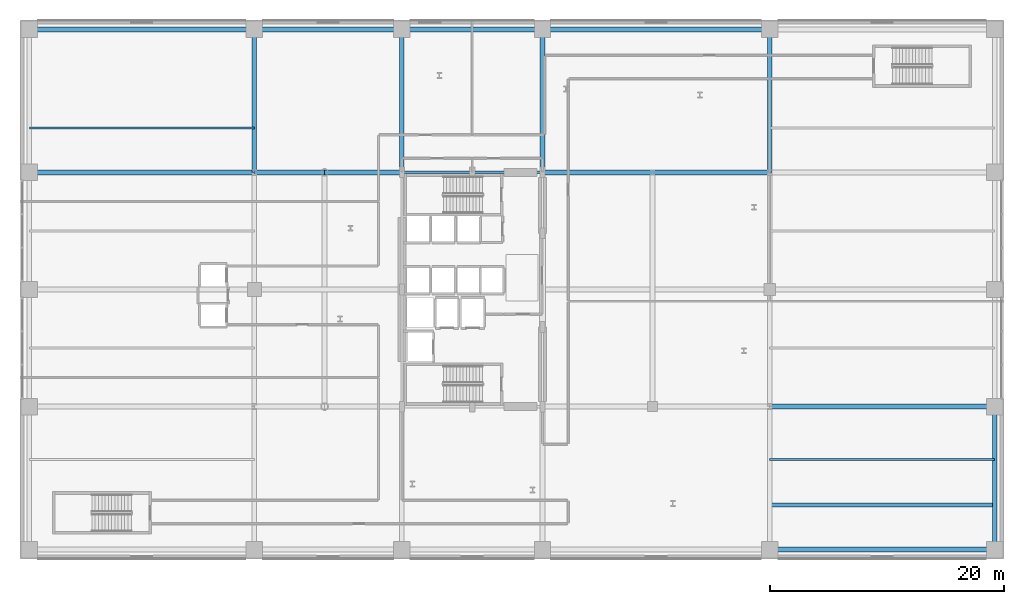
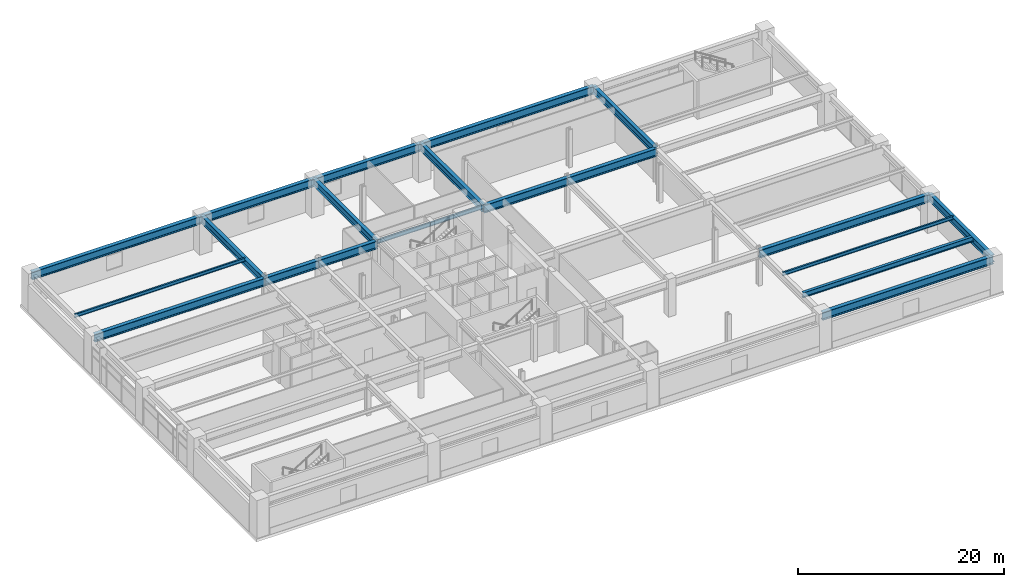
# One storey, part 12 of 28: 21 beams.
"""IFC4 building model written with IfcOpenShell, lengths in metres."""

from ifc_helpers import new_model, si_unit, direction, frame, origin, origin_2d, place, context, subcontext, project, spatial, i_section, extrude, material, material_profile, profile_set, type_object, element, save


model = new_model("IFC4")

# Units and contexts
model_context = context("Model", 3, precision=1e-05, world=origin(), true_north=direction((0.0, 1.0)))
body_context = subcontext(model_context, "Body", "Model", "MODEL_VIEW")
ifc_project = project(units=[si_unit("LENGTHUNIT", "METRE"), si_unit("AREAUNIT", "SQUARE_METRE"), si_unit("VOLUMEUNIT", "CUBIC_METRE"), si_unit("PLANEANGLEUNIT", "RADIAN"), si_unit("MASSUNIT", "GRAM", prefix="KILO")], contexts=[model_context])

# Site, building, storey
site_placement = place(None, origin())
site = spatial("IfcSite", under=ifc_project, at=site_placement, CompositionType="ELEMENT")
building_placement = place(site_placement, origin())
building = spatial("IfcBuilding", under=site, at=building_placement, Name="Soratama Intermodal Tower", CompositionType="ELEMENT")
storey_placement = place(building_placement, frame((0.0, 0.0, 16.199951171875)))
storey = spatial("IfcBuildingStorey", under=building, at=storey_placement, Name="L03", CompositionType="ELEMENT", Elevation=16.199951171875)

# Beams
ifc_material_1 = material(Name="Structural steel ASTM A992 Grade 50", Category="steel")
ifc_material_profile_1 = material_profile(ifc_material_1, i_section(OverallWidth=0.324951171875, OverallDepth=0.615966796875, WebThickness=0.013916015625, FlangeThickness=0.021484375, FilletRadius=0.013916015625, at=origin_2d()), Name="W24X117")
ifc_profile_set_1 = profile_set([ifc_material_profile_1], Name="Structural steel ASTM A992 Grade 50")
beam_type_1 = type_object("IfcBeamType", Name="BM-BACK-W24X117", PredefinedType="BEAM", material=ifc_profile_set_1)
beam_1_placement = place(storey_placement, frame((64.0, 6.60009765625, 3.8720703125), z_axis=(1.0, 0.0, 0.0), x_axis=(0.0, 1.0, 0.0)))
element("IfcBeam", 1, at=beam_1_placement, inside=storey, type_object=beam_type_1, Name="JST-BACK-L03-E", PredefinedType="BEAM", context=body_context, shape_type="SweptSolid", body=[
    extrude(i_section(OverallWidth=0.324951171875, OverallDepth=0.615966796875, WebThickness=0.013916015625, FlangeThickness=0.021484375, FilletRadius=0.013916015625, at=origin_2d()), origin(), (0.0, 0.0, 1.0), 19.199951171875),
])
ifc_material_2 = material(Name="Structural steel ASTM A992 Grade 50", Category="steel")
ifc_material_profile_2 = material_profile(ifc_material_2, i_section(OverallWidth=0.19091796875, OverallDepth=0.4599609375, WebThickness=0.010009765625, FlangeThickness=0.01611328125, FilletRadius=0.010986328125, at=origin_2d()), Name="W18X55")
ifc_profile_set_2 = profile_set([ifc_material_profile_2], Name="Structural steel ASTM A992 Grade 50")
beam_type_2 = type_object("IfcBeamType", Name="BM-FLR-W18X55", PredefinedType="BEAM", material=ifc_profile_set_2)
for number, where, z_axis, x_axis, name in (
    (2, (44.60009765625, 35.0, 3.949951171875), (-1.0, 0.0, 0.0), (0.0, -1.0, 0.0), "BM-L03-CRING-06"),
    (3, (38.60009765625, 35.0, 3.949951171875), (-1.0, 0.0, 0.0), (0.0, -1.0, 0.0), "BM-L03-CRING-07"),
):
    element("IfcBeam", number, at=place(storey_placement, frame(where, z_axis=z_axis, x_axis=x_axis)), inside=storey, type_object=beam_type_2, Name=name, PredefinedType="BEAM", context=body_context, shape_type="SweptSolid", body=[
        extrude(i_section(OverallWidth=0.19091796875, OverallDepth=0.4599609375, WebThickness=0.010009765625, FlangeThickness=0.01611328125, FilletRadius=0.010986328125, at=origin_2d()), origin(), (0.0, 0.0, 1.0), 6.0),
    ])
ifc_material_3 = material(Name="Structural steel ASTM A992 Grade 50", Category="steel")
ifc_material_profile_3 = material_profile(ifc_material_3, i_section(OverallWidth=0.177978515625, OverallDepth=0.406982421875, WebThickness=0.0078125, FlangeThickness=0.0126953125, FilletRadius=0.010009765625, at=origin_2d()), Name="W16X40")
ifc_profile_set_3 = profile_set([ifc_material_profile_3], Name="Structural steel ASTM A992 Grade 50")
beam_type_3 = type_object("IfcBeamType", Name="BM-JST-W16X40", PredefinedType="JOIST", material=ifc_profile_set_3)
for number, where, z_axis, x_axis, name in (
    (4, (64.0, 10.5, 3.9765625), (1.0, 0.0, 0.0), (0.0, 1.0, 0.0), "JST-L03-E1"),
    (5, (0.800048828125, 38.800048828125, 3.9765625), (1.0, 0.0, 0.0), (0.0, 1.0, 0.0), "JST-L03-W4"),
):
    element("IfcBeam", number, at=place(storey_placement, frame(where, z_axis=z_axis, x_axis=x_axis)), inside=storey, type_object=beam_type_3, Name=name, PredefinedType="JOIST", context=body_context, shape_type="SweptSolid", body=[
        extrude(i_section(OverallWidth=0.177978515625, OverallDepth=0.406982421875, WebThickness=0.0078125, FlangeThickness=0.0126953125, FilletRadius=0.010009765625, at=origin_2d()), origin(), (0.0, 0.0, 1.0), 19.199951171875),
    ])
ifc_material_4 = material(Name="Structural steel ASTM A992 Grade 50", Category="steel")
ifc_material_profile_4 = material_profile(ifc_material_4, i_section(OverallWidth=0.403076171875, OverallDepth=0.867919921875, WebThickness=0.02099609375, FlangeThickness=0.03564453125, FilletRadius=0.01806640625, at=origin_2d()), Name="W33X241")
ifc_profile_set_4 = profile_set([ifc_material_profile_4], Name="Structural steel ASTM A992 Grade 50")
beam_type_4 = type_object("IfcBeamType", Name="BM-POD-EXT-W33", PredefinedType="BEAM", material=ifc_profile_set_4)
beam_2_placement = place(storey_placement, frame((83.199951171875, 2.800048828125, 3.74609375), z_axis=(0.0, 1.0, 0.0), x_axis=(-1.0, 0.0, 0.0)))
element("IfcBeam", 6, at=beam_2_placement, inside=storey, type_object=beam_type_4, Name="L03 Station Girder Y4-1", PredefinedType="BEAM", context=body_context, shape_type="SweptSolid", body=[
    extrude(i_section(OverallWidth=0.403076171875, OverallDepth=0.867919921875, WebThickness=0.02099609375, FlangeThickness=0.03564453125, FilletRadius=0.01806640625, at=origin_2d()), origin(), (0.0, 0.0, 1.0), 12.199951171875),
])
ifc_material_5 = material(Name="Structural steel ASTM A992 Grade 50", Category="steel")
ifc_material_profile_5 = material_profile(ifc_material_5, i_section(OverallWidth=0.423095703125, OverallDepth=0.93896484375, WebThickness=0.02392578125, FlangeThickness=0.042724609375, FilletRadius=0.02392578125, at=origin_2d()), Name="W36X302")
ifc_profile_set_5 = profile_set([ifc_material_profile_5], Name="Structural steel ASTM A992 Grade 50")
beam_type_5 = type_object("IfcBeamType", Name="BM-POD-EXT-W36", PredefinedType="BEAM", material=ifc_profile_set_5)
for number, where, z_axis, x_axis, name in (
    (7, (64.0, 2.800048828125, 3.71044921875), (1.0, 0.0, 0.0), (0.0, 1.0, 0.0), "L03 Station Girder X1-5"),
    (8, (0.800048828125, 47.199951171875, 3.71044921875), (1.0, 0.0, 0.0), (0.0, 1.0, 0.0), "L03 Station Girder X5-1"),
):
    element("IfcBeam", number, at=place(storey_placement, frame(where, z_axis=z_axis, x_axis=x_axis)), inside=storey, type_object=beam_type_5, Name=name, PredefinedType="BEAM", context=body_context, shape_type="SweptSolid", body=[
        extrude(i_section(OverallWidth=0.423095703125, OverallDepth=0.93896484375, WebThickness=0.02392578125, FlangeThickness=0.042724609375, FilletRadius=0.02392578125, at=origin_2d()), origin(), (0.0, 0.0, 1.0), 19.199951171875),
    ])
beam_3_placement = place(storey_placement, frame((20.0, 47.199951171875, 3.71044921875), z_axis=(1.0, 0.0, 0.0), x_axis=(0.0, 1.0, 0.0)))
element("IfcBeam", 9, at=beam_3_placement, inside=storey, type_object=beam_type_5, Name="L03 Station Girder X5-2", PredefinedType="BEAM", context=body_context, shape_type="SweptSolid", body=[
    extrude(i_section(OverallWidth=0.423095703125, OverallDepth=0.93896484375, WebThickness=0.02392578125, FlangeThickness=0.042724609375, FilletRadius=0.02392578125, at=origin_2d()), origin(), (0.0, 0.0, 1.0), 12.60009765625),
])
beam_4_placement = place(storey_placement, frame((32.60009765625, 47.199951171875, 3.71044921875), z_axis=(1.0, 0.0, 0.0), x_axis=(0.0, 1.0, 0.0)))
element("IfcBeam", 10, at=beam_4_placement, inside=storey, type_object=beam_type_5, Name="L03 Station Girder X5-3", PredefinedType="BEAM", context=body_context, shape_type="SweptSolid", body=[
    extrude(i_section(OverallWidth=0.423095703125, OverallDepth=0.93896484375, WebThickness=0.02392578125, FlangeThickness=0.042724609375, FilletRadius=0.02392578125, at=origin_2d()), origin(), (0.0, 0.0, 1.0), 12.0),
])
beam_5_placement = place(storey_placement, frame((44.60009765625, 47.199951171875, 3.71044921875), z_axis=(1.0, 0.0, 0.0), x_axis=(0.0, 1.0, 0.0)))
element("IfcBeam", 11, at=beam_5_placement, inside=storey, type_object=beam_type_5, Name="L03 Station Girder X5-4", PredefinedType="BEAM", context=body_context, shape_type="SweptSolid", body=[
    extrude(i_section(OverallWidth=0.423095703125, OverallDepth=0.93896484375, WebThickness=0.02392578125, FlangeThickness=0.042724609375, FilletRadius=0.02392578125, at=origin_2d()), origin(), (0.0, 0.0, 1.0), 19.39990234375),
])
ifc_material_6 = material(Name="Structural steel ASTM A992 Grade 50", Category="steel")
ifc_material_profile_6 = material_profile(ifc_material_6, i_section(OverallWidth=0.403076171875, OverallDepth=0.867919921875, WebThickness=0.02099609375, FlangeThickness=0.03564453125, FilletRadius=0.01806640625, at=origin_2d()), Name="W33X241")
ifc_profile_set_6 = profile_set([ifc_material_profile_6], Name="Structural steel ASTM A992 Grade 50")
beam_type_6 = type_object("IfcBeamType", Name="BM-POD-W33X241", PredefinedType="BEAM", material=ifc_profile_set_6)
for number, where, z_axis, x_axis, name in (
    (12, (20.0, 35.0, 3.74609375), (0.0, 1.0, 0.0), (-1.0, 0.0, 0.0), "L03 Station Girder Y2-4"),
    (13, (64.0, 35.0, 3.74609375), (0.0, 1.0, 0.0), (-1.0, 0.0, 0.0), "L03 Station Girder Y3-4"),
    (14, (32.60009765625, 35.0, 3.74609375), (0.0, 1.0, 0.0), (-1.0, 0.0, 0.0), "BM-L03-GYC-1-2"),
    (15, (44.60009765625, 35.0, 3.74609375), (0.0, 1.0, 0.0), (-1.0, 0.0, 0.0), "BM-L03-GYC-2-2"),
):
    element("IfcBeam", number, at=place(storey_placement, frame(where, z_axis=z_axis, x_axis=x_axis)), inside=storey, type_object=beam_type_6, Name=name, PredefinedType="BEAM", context=body_context, shape_type="SweptSolid", body=[
        extrude(i_section(OverallWidth=0.403076171875, OverallDepth=0.867919921875, WebThickness=0.02099609375, FlangeThickness=0.03564453125, FilletRadius=0.01806640625, at=origin_2d()), origin(), (0.0, 0.0, 1.0), 12.199951171875),
    ])
ifc_material_7 = material(Name="Structural steel ASTM A992 Grade 50", Category="steel")
ifc_material_profile_7 = material_profile(ifc_material_7, i_section(OverallWidth=0.423095703125, OverallDepth=0.93896484375, WebThickness=0.02392578125, FlangeThickness=0.042724609375, FilletRadius=0.02392578125, at=origin_2d()), Name="W36X302")
ifc_profile_set_7 = profile_set([ifc_material_profile_7], Name="Structural steel ASTM A992 Grade 50")
beam_type_7 = type_object("IfcBeamType", Name="BM-POD-W36X302", PredefinedType="BEAM", material=ifc_profile_set_7)
beam_6_placement = place(storey_placement, frame((64.0, 15.0, 3.71044921875), z_axis=(1.0, 0.0, 0.0), x_axis=(0.0, 1.0, 0.0)))
element("IfcBeam", 16, at=beam_6_placement, inside=storey, type_object=beam_type_7, Name="L03 Station Girder X2-6", PredefinedType="BEAM", context=body_context, shape_type="SweptSolid", body=[
    extrude(i_section(OverallWidth=0.423095703125, OverallDepth=0.93896484375, WebThickness=0.02392578125, FlangeThickness=0.042724609375, FilletRadius=0.02392578125, at=origin_2d()), origin(), (0.0, 0.0, 1.0), 19.199951171875),
])
beam_7_placement = place(storey_placement, frame((20.0, 35.0, 3.71044921875), z_axis=(1.0, 0.0, 0.0), x_axis=(0.0, 1.0, 0.0)))
element("IfcBeam", 17, at=beam_7_placement, inside=storey, type_object=beam_type_7, Name="L03 Station Girder X4-1", PredefinedType="BEAM", context=body_context, shape_type="SweptSolid", body=[
    extrude(i_section(OverallWidth=0.423095703125, OverallDepth=0.93896484375, WebThickness=0.02392578125, FlangeThickness=0.042724609375, FilletRadius=0.02392578125, at=origin_2d()), origin(), (0.0, 0.0, 1.0), 6.0),
])
beam_8_placement = place(storey_placement, frame((26.0, 35.0, 3.71044921875), z_axis=(1.0, 0.0, 0.0), x_axis=(0.0, 1.0, 0.0)))
element("IfcBeam", 18, at=beam_8_placement, inside=storey, type_object=beam_type_7, Name="L03 Station Girder X4-2", PredefinedType="BEAM", context=body_context, shape_type="SweptSolid", body=[
    extrude(i_section(OverallWidth=0.423095703125, OverallDepth=0.93896484375, WebThickness=0.02392578125, FlangeThickness=0.042724609375, FilletRadius=0.02392578125, at=origin_2d()), origin(), (0.0, 0.0, 1.0), 6.60009765625),
])
beam_9_placement = place(storey_placement, frame((44.60009765625, 35.0, 3.71044921875), z_axis=(1.0, 0.0, 0.0), x_axis=(0.0, 1.0, 0.0)))
element("IfcBeam", 19, at=beam_9_placement, inside=storey, type_object=beam_type_7, Name="L03 Station Girder X4-3", PredefinedType="BEAM", context=body_context, shape_type="SweptSolid", body=[
    extrude(i_section(OverallWidth=0.423095703125, OverallDepth=0.93896484375, WebThickness=0.02392578125, FlangeThickness=0.042724609375, FilletRadius=0.02392578125, at=origin_2d()), origin(), (0.0, 0.0, 1.0), 9.39990234375),
])
beam_10_placement = place(storey_placement, frame((54.0, 35.0, 3.71044921875), z_axis=(1.0, 0.0, 0.0), x_axis=(0.0, 1.0, 0.0)))
element("IfcBeam", 20, at=beam_10_placement, inside=storey, type_object=beam_type_7, Name="L03 Station Girder X4-4", PredefinedType="BEAM", context=body_context, shape_type="SweptSolid", body=[
    extrude(i_section(OverallWidth=0.423095703125, OverallDepth=0.93896484375, WebThickness=0.02392578125, FlangeThickness=0.042724609375, FilletRadius=0.02392578125, at=origin_2d()), origin(), (0.0, 0.0, 1.0), 10.0),
])
beam_11_placement = place(storey_placement, frame((0.800048828125, 35.0, 3.71044921875), z_axis=(1.0, 0.0, 0.0), x_axis=(0.0, 1.0, 0.0)))
element("IfcBeam", 21, at=beam_11_placement, inside=storey, type_object=beam_type_7, Name="L03 Station Girder X4-6", PredefinedType="BEAM", context=body_context, shape_type="SweptSolid", body=[
    extrude(i_section(OverallWidth=0.423095703125, OverallDepth=0.93896484375, WebThickness=0.02392578125, FlangeThickness=0.042724609375, FilletRadius=0.02392578125, at=origin_2d()), origin(), (0.0, 0.0, 1.0), 19.199951171875),
])

save(model, "model.ifc")
